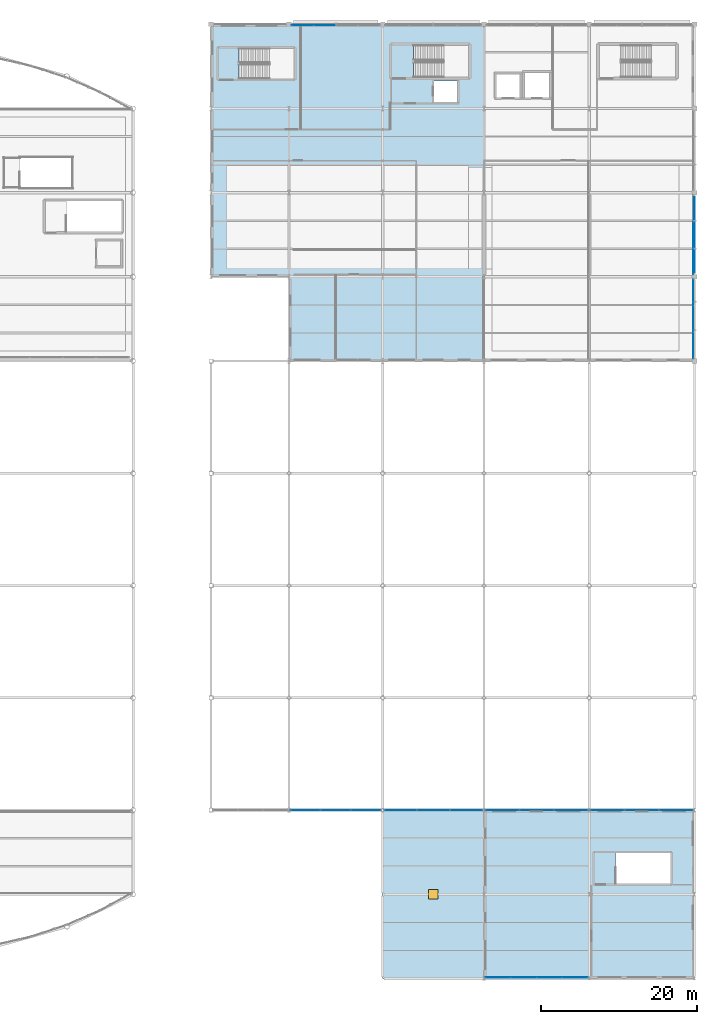
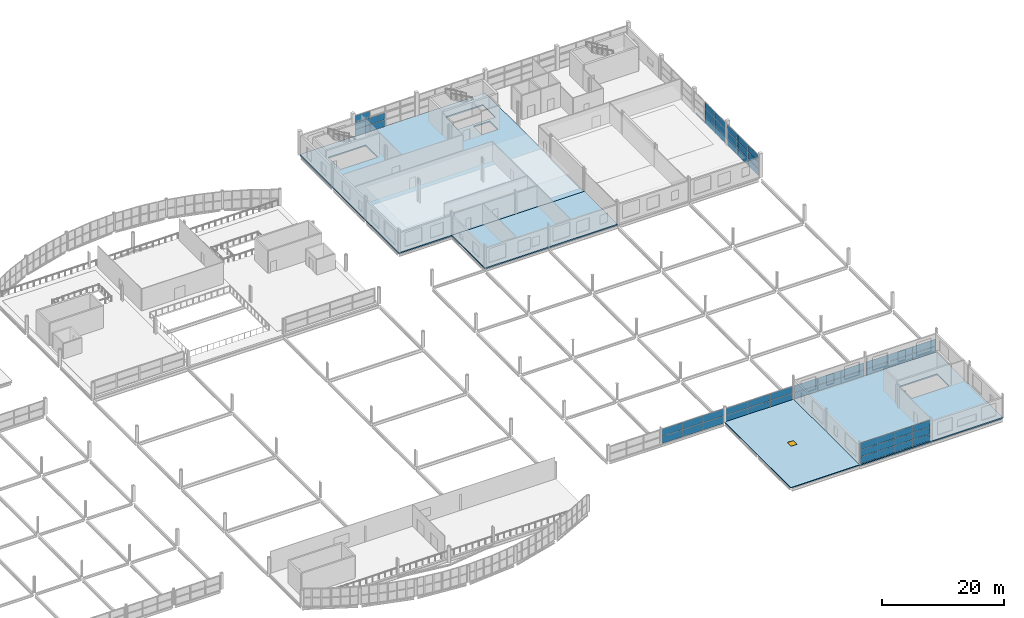
# One storey, part 118 of 134: 57 plates, 4 slabs, 1 window, 1 opening, 8 elements without a shape of their own.
"""IFC4 building model written with IfcOpenShell, lengths in metres."""

from ifc_helpers import new_model, si_unit, direction, frame, origin, origin_2d, place, context, subcontext, project, spatial, polyline, rectangle, outline, extrude, material, layer, layer_set, type_object, element, fill, aggregate, save


model = new_model("IFC4")

# Units and contexts
model_context = context("Model", 3, precision=1e-05, world=origin(), true_north=direction((0.0, 1.0)))
body_context = subcontext(model_context, "Body", "Model", "MODEL_VIEW")
ifc_project = project(units=[si_unit("LENGTHUNIT", "METRE"), si_unit("AREAUNIT", "SQUARE_METRE"), si_unit("VOLUMEUNIT", "CUBIC_METRE"), si_unit("PLANEANGLEUNIT", "RADIAN"), si_unit("MASSUNIT", "GRAM", prefix="KILO")], contexts=[model_context])

# Site, building, storey
site_placement = place(None, origin())
site = spatial("IfcSite", under=ifc_project, at=site_placement, CompositionType="ELEMENT")
building_placement = place(site_placement, origin())
building = spatial("IfcBuilding", under=site, at=building_placement, Name="Tamarisk Ironworks Central Station", CompositionType="ELEMENT")
storey_placement = place(building_placement, frame((0.0, 0.0, 12.60009765625)))
storey = spatial("IfcBuildingStorey", under=building, at=storey_placement, Name="L02", CompositionType="ELEMENT", Elevation=12.60009765625)

# Curtain wall, plates
ifc_material_1 = material(Name="Anodized aluminium alloy 6063-T6", Category="aluminium")
ifc_layer_1 = layer(ifc_material_1, 0.179931640625)
ifc_layer_set_1 = layer_set([ifc_layer_1], Name="Anodized aluminium alloy 6063-T6")
curtain_wall_type_1 = type_object("IfcCurtainWallType", Name="CW-17", PredefinedType="USERDEFINED", material=ifc_layer_set_1)
curtain_wall_1_placement = place(storey_placement, origin())
curtain_wall_1 = element("IfcCurtainWall", 1, at=curtain_wall_1_placement, inside=storey, type_object=curtain_wall_type_1, Name="Operations L02 north facade curtain wall 128", ObjectType="GLAZED CURTAIN WALL", PredefinedType="USERDEFINED")
ifc_material_2 = material(Name="Laminated solar-control low-E glass", Category="glass")
ifc_layer_2 = layer(ifc_material_2, 0.028076171875)
ifc_layer_set_2 = layer_set([ifc_layer_2], Name="Laminated solar-control low-E glass")
plate_type_1 = type_object("IfcPlateType", Name="PL-CWP28", PredefinedType="CURTAIN_PANEL", material=ifc_layer_set_2)
plate_1_placement = place(storey_placement, frame((129.738525390625, 122.25, 0.053955078125), z_axis=(0.0, 0.0, 1.0), x_axis=(1.0, 0.0, 0.0)))
plate_1 = element("IfcPlate", 2, at=plate_1_placement, type_object=plate_type_1, Name="CW17 panel 1.1", PredefinedType="CURTAIN_PANEL", context=body_context, shape_type="SweptSolid", body=[
    extrude(rectangle(XDim=2.77294921875, YDim=0.028076171875, at=origin_2d()), origin(), (0.0, 0.0, 1.0), 1.32861328125),
])
plate_2_placement = place(storey_placement, frame((129.738525390625, 122.25, 1.4306640625), z_axis=(0.0, 0.0, 1.0), x_axis=(1.0, 0.0, 0.0)))
plate_2 = element("IfcPlate", 3, at=plate_2_placement, type_object=plate_type_1, Name="CW17 panel 1.2", PredefinedType="CURTAIN_PANEL", context=body_context, shape_type="SweptSolid", body=[
    extrude(rectangle(XDim=2.77294921875, YDim=0.028076171875, at=origin_2d()), origin(), (0.0, 0.0, 1.0), 1.358642578125),
])
plate_3_placement = place(storey_placement, frame((129.738525390625, 122.25, 2.837158203125), z_axis=(0.0, 0.0, 1.0), x_axis=(1.0, 0.0, 0.0)))
plate_3 = element("IfcPlate", 4, at=plate_3_placement, type_object=plate_type_1, Name="CW17 panel 1.3", PredefinedType="CURTAIN_PANEL", context=body_context, shape_type="SweptSolid", body=[
    extrude(rectangle(XDim=2.77294921875, YDim=0.028076171875, at=origin_2d()), origin(), (0.0, 0.0, 1.0), 1.32861328125),
])
plate_4_placement = place(storey_placement, frame((132.574462890625, 122.25, 0.053955078125), z_axis=(0.0, 0.0, 1.0), x_axis=(1.0, 0.0, 0.0)))
plate_4 = element("IfcPlate", 5, at=plate_4_placement, type_object=plate_type_1, Name="CW17 panel 2.1", PredefinedType="CURTAIN_PANEL", context=body_context, shape_type="SweptSolid", body=[
    extrude(rectangle(XDim=2.802978515625, YDim=0.028076171875, at=origin_2d()), origin(), (0.0, 0.0, 1.0), 1.32861328125),
])
plate_5_placement = place(storey_placement, frame((132.574462890625, 122.25, 1.4306640625), z_axis=(0.0, 0.0, 1.0), x_axis=(1.0, 0.0, 0.0)))
plate_5 = element("IfcPlate", 6, at=plate_5_placement, type_object=plate_type_1, Name="CW17 panel 2.2", PredefinedType="CURTAIN_PANEL", context=body_context, shape_type="SweptSolid", body=[
    extrude(rectangle(XDim=2.802978515625, YDim=0.028076171875, at=origin_2d()), origin(), (0.0, 0.0, 1.0), 1.358642578125),
])
aggregate(curtain_wall_1, [plate_1, plate_2, plate_3, plate_4, plate_5])

curtain_wall_2_placement = place(storey_placement, origin())
curtain_wall_2 = element("IfcCurtainWall", 7, at=curtain_wall_2_placement, inside=storey, type_object=curtain_wall_type_1, Name="Operations L02 east facade curtain wall 079", ObjectType="GLAZED CURTAIN WALL", PredefinedType="USERDEFINED")
plate_6_placement = place(storey_placement, frame((179.85009765625, 81.213623046875, 0.053955078125), z_axis=(0.0, 0.0, 1.0), x_axis=(0.0, 1.0, 0.0)))
plate_6 = element("IfcPlate", 8, at=plate_6_placement, type_object=plate_type_1, Name="CW17 panel 1.1", PredefinedType="CURTAIN_PANEL", context=body_context, shape_type="SweptSolid", body=[
    extrude(rectangle(XDim=3.3232421875, YDim=0.028076171875, at=origin_2d()), origin(), (0.0, 0.0, 1.0), 1.32861328125),
])
plate_7_placement = place(storey_placement, frame((179.85009765625, 81.213623046875, 1.4306640625), z_axis=(0.0, 0.0, 1.0), x_axis=(0.0, 1.0, 0.0)))
plate_7 = element("IfcPlate", 9, at=plate_7_placement, type_object=plate_type_1, Name="CW17 panel 1.2", PredefinedType="CURTAIN_PANEL", context=body_context, shape_type="SweptSolid", body=[
    extrude(rectangle(XDim=3.3232421875, YDim=0.028076171875, at=origin_2d()), origin(), (0.0, 0.0, 1.0), 1.358642578125),
])
plate_8_placement = place(storey_placement, frame((179.85009765625, 81.213623046875, 2.837158203125), z_axis=(0.0, 0.0, 1.0), x_axis=(0.0, 1.0, 0.0)))
plate_8 = element("IfcPlate", 10, at=plate_8_placement, type_object=plate_type_1, Name="CW17 panel 1.3", PredefinedType="CURTAIN_PANEL", context=body_context, shape_type="SweptSolid", body=[
    extrude(rectangle(XDim=3.3232421875, YDim=0.028076171875, at=origin_2d()), origin(), (0.0, 0.0, 1.0), 1.32861328125),
])
plate_9_placement = place(storey_placement, frame((179.85009765625, 84.60009765625, 0.053955078125), z_axis=(0.0, 0.0, 1.0), x_axis=(0.0, 1.0, 0.0)))
plate_9 = element("IfcPlate", 11, at=plate_9_placement, type_object=plate_type_1, Name="CW17 panel 2.1", PredefinedType="CURTAIN_PANEL", context=body_context, shape_type="SweptSolid", body=[
    extrude(rectangle(XDim=3.353271484375, YDim=0.028076171875, at=origin_2d()), origin(), (0.0, 0.0, 1.0), 1.32861328125),
])
plate_10_placement = place(storey_placement, frame((179.85009765625, 84.60009765625, 1.4306640625), z_axis=(0.0, 0.0, 1.0), x_axis=(0.0, 1.0, 0.0)))
plate_10 = element("IfcPlate", 12, at=plate_10_placement, type_object=plate_type_1, Name="CW17 panel 2.2", PredefinedType="CURTAIN_PANEL", context=body_context, shape_type="SweptSolid", body=[
    extrude(rectangle(XDim=3.353271484375, YDim=0.028076171875, at=origin_2d()), origin(), (0.0, 0.0, 1.0), 1.358642578125),
])
plate_11_placement = place(storey_placement, frame((179.85009765625, 84.60009765625, 2.837158203125), z_axis=(0.0, 0.0, 1.0), x_axis=(0.0, 1.0, 0.0)))
plate_11 = element("IfcPlate", 13, at=plate_11_placement, type_object=plate_type_1, Name="CW17 panel 2.3", PredefinedType="CURTAIN_PANEL", context=body_context, shape_type="SweptSolid", body=[
    extrude(rectangle(XDim=3.353271484375, YDim=0.028076171875, at=origin_2d()), origin(), (0.0, 0.0, 1.0), 1.32861328125),
])
plate_12_placement = place(storey_placement, frame((179.85009765625, 87.986328125, 0.053955078125), z_axis=(0.0, 0.0, 1.0), x_axis=(0.0, 1.0, 0.0)))
plate_12 = element("IfcPlate", 14, at=plate_12_placement, type_object=plate_type_1, Name="CW17 panel 3.1", PredefinedType="CURTAIN_PANEL", context=body_context, shape_type="SweptSolid", body=[
    extrude(rectangle(XDim=3.3232421875, YDim=0.028076171875, at=origin_2d()), origin(), (0.0, 0.0, 1.0), 1.32861328125),
])
plate_13_placement = place(storey_placement, frame((179.85009765625, 87.986328125, 1.4306640625), z_axis=(0.0, 0.0, 1.0), x_axis=(0.0, 1.0, 0.0)))
plate_13 = element("IfcPlate", 15, at=plate_13_placement, type_object=plate_type_1, Name="CW17 panel 3.2", PredefinedType="CURTAIN_PANEL", context=body_context, shape_type="SweptSolid", body=[
    extrude(rectangle(XDim=3.3232421875, YDim=0.028076171875, at=origin_2d()), origin(), (0.0, 0.0, 1.0), 1.358642578125),
])
plate_14_placement = place(storey_placement, frame((179.85009765625, 87.986328125, 2.837158203125), z_axis=(0.0, 0.0, 1.0), x_axis=(0.0, 1.0, 0.0)))
plate_14 = element("IfcPlate", 16, at=plate_14_placement, type_object=plate_type_1, Name="CW17 panel 3.3", PredefinedType="CURTAIN_PANEL", context=body_context, shape_type="SweptSolid", body=[
    extrude(rectangle(XDim=3.3232421875, YDim=0.028076171875, at=origin_2d()), origin(), (0.0, 0.0, 1.0), 1.32861328125),
])
aggregate(curtain_wall_2, [plate_6, plate_7, plate_8, plate_9, plate_10, plate_11, plate_12, plate_13, plate_14])

curtain_wall_3_placement = place(storey_placement, origin())
curtain_wall_3 = element("IfcCurtainWall", 17, at=curtain_wall_3_placement, inside=storey, type_object=curtain_wall_type_1, Name="Operations L02 east facade curtain wall 090", ObjectType="GLAZED CURTAIN WALL", PredefinedType="USERDEFINED")
plate_15_placement = place(storey_placement, frame((179.85009765625, 92.013671875, 0.053955078125), z_axis=(0.0, 0.0, 1.0), x_axis=(0.0, 1.0, 0.0)))
plate_15 = element("IfcPlate", 18, at=plate_15_placement, type_object=plate_type_1, Name="CW17 panel 1.1", PredefinedType="CURTAIN_PANEL", context=body_context, shape_type="SweptSolid", body=[
    extrude(rectangle(XDim=3.3232421875, YDim=0.028076171875, at=origin_2d()), origin(), (0.0, 0.0, 1.0), 1.32861328125),
])
plate_16_placement = place(storey_placement, frame((179.85009765625, 92.013671875, 1.4306640625), z_axis=(0.0, 0.0, 1.0), x_axis=(0.0, 1.0, 0.0)))
plate_16 = element("IfcPlate", 19, at=plate_16_placement, type_object=plate_type_1, Name="CW17 panel 1.2", PredefinedType="CURTAIN_PANEL", context=body_context, shape_type="SweptSolid", body=[
    extrude(rectangle(XDim=3.3232421875, YDim=0.028076171875, at=origin_2d()), origin(), (0.0, 0.0, 1.0), 1.358642578125),
])
plate_17_placement = place(storey_placement, frame((179.85009765625, 92.013671875, 2.837158203125), z_axis=(0.0, 0.0, 1.0), x_axis=(0.0, 1.0, 0.0)))
plate_17 = element("IfcPlate", 20, at=plate_17_placement, type_object=plate_type_1, Name="CW17 panel 1.3", PredefinedType="CURTAIN_PANEL", context=body_context, shape_type="SweptSolid", body=[
    extrude(rectangle(XDim=3.3232421875, YDim=0.028076171875, at=origin_2d()), origin(), (0.0, 0.0, 1.0), 1.32861328125),
])
plate_18_placement = place(storey_placement, frame((179.85009765625, 95.39990234375, 0.053955078125), z_axis=(0.0, 0.0, 1.0), x_axis=(0.0, 1.0, 0.0)))
plate_18 = element("IfcPlate", 21, at=plate_18_placement, type_object=plate_type_1, Name="CW17 panel 2.1", PredefinedType="CURTAIN_PANEL", context=body_context, shape_type="SweptSolid", body=[
    extrude(rectangle(XDim=3.353271484375, YDim=0.028076171875, at=origin_2d()), origin(), (0.0, 0.0, 1.0), 1.32861328125),
])
plate_19_placement = place(storey_placement, frame((179.85009765625, 95.39990234375, 1.4306640625), z_axis=(0.0, 0.0, 1.0), x_axis=(0.0, 1.0, 0.0)))
plate_19 = element("IfcPlate", 22, at=plate_19_placement, type_object=plate_type_1, Name="CW17 panel 2.2", PredefinedType="CURTAIN_PANEL", context=body_context, shape_type="SweptSolid", body=[
    extrude(rectangle(XDim=3.353271484375, YDim=0.028076171875, at=origin_2d()), origin(), (0.0, 0.0, 1.0), 1.358642578125),
])
plate_20_placement = place(storey_placement, frame((179.85009765625, 95.39990234375, 2.837158203125), z_axis=(0.0, 0.0, 1.0), x_axis=(0.0, 1.0, 0.0)))
plate_20 = element("IfcPlate", 23, at=plate_20_placement, type_object=plate_type_1, Name="CW17 panel 2.3", PredefinedType="CURTAIN_PANEL", context=body_context, shape_type="SweptSolid", body=[
    extrude(rectangle(XDim=3.353271484375, YDim=0.028076171875, at=origin_2d()), origin(), (0.0, 0.0, 1.0), 1.32861328125),
])
aggregate(curtain_wall_3, [plate_15, plate_16, plate_17, plate_18, plate_19, plate_20])

ifc_layer_3 = layer(ifc_material_1, 0.179931640625)
ifc_layer_set_3 = layer_set([ifc_layer_3], Name="Anodized aluminium alloy 6063-T6")
curtain_wall_type_2 = type_object("IfcCurtainWallType", Name="CW-07", PredefinedType="USERDEFINED", material=ifc_layer_set_3)
curtain_wall_4_placement = place(storey_placement, origin())
curtain_wall_4 = element("IfcCurtainWall", 24, at=curtain_wall_4_placement, inside=storey, type_object=curtain_wall_type_2, Name="Train shed ES clerestory curtain wall 128", ObjectType="GLAZED CURTAIN WALL", PredefinedType="USERDEFINED")
plate_21_placement = place(storey_placement, frame((130.106689453125, 21.60009765625, -0.201171875), z_axis=(0.0, 0.0, 1.0), x_axis=(1.0, 0.0, 0.0)))
plate_21 = element("IfcPlate", 25, at=plate_21_placement, type_object=plate_type_1, Name="CW07 panel 1.1", PredefinedType="CURTAIN_PANEL", context=body_context, shape_type="SweptSolid", body=[
    extrude(rectangle(XDim=3.799072265625, YDim=0.028076171875, at=origin_2d()), origin(), (0.0, 0.0, 1.0), 1.4345703125),
])
plate_22_placement = place(storey_placement, frame((130.106689453125, 21.60009765625, 1.286376953125), z_axis=(0.0, 0.0, 1.0), x_axis=(1.0, 0.0, 0.0)))
plate_22 = element("IfcPlate", 26, at=plate_22_placement, type_object=plate_type_1, Name="CW07 panel 1.2", PredefinedType="CURTAIN_PANEL", context=body_context, shape_type="SweptSolid", body=[
    extrude(rectangle(XDim=3.799072265625, YDim=0.028076171875, at=origin_2d()), origin(), (0.0, 0.0, 1.0), 1.4345703125),
])
plate_23_placement = place(storey_placement, frame((133.97509765625, 21.60009765625, -0.201171875), z_axis=(0.0, 0.0, 1.0), x_axis=(1.0, 0.0, 0.0)))
plate_23 = element("IfcPlate", 27, at=plate_23_placement, type_object=plate_type_1, Name="CW07 panel 2.1", PredefinedType="CURTAIN_PANEL", context=body_context, shape_type="SweptSolid", body=[
    extrude(rectangle(XDim=3.831787109375, YDim=0.028076171875, at=origin_2d()), origin(), (0.0, 0.0, 1.0), 1.4345703125),
])
plate_24_placement = place(storey_placement, frame((133.97509765625, 21.60009765625, 1.286376953125), z_axis=(0.0, 0.0, 1.0), x_axis=(1.0, 0.0, 0.0)))
plate_24 = element("IfcPlate", 28, at=plate_24_placement, type_object=plate_type_1, Name="CW07 panel 2.2", PredefinedType="CURTAIN_PANEL", context=body_context, shape_type="SweptSolid", body=[
    extrude(rectangle(XDim=3.831787109375, YDim=0.028076171875, at=origin_2d()), origin(), (0.0, 0.0, 1.0), 1.4345703125),
])
plate_25_placement = place(storey_placement, frame((137.843505859375, 21.60009765625, -0.201171875), z_axis=(0.0, 0.0, 1.0), x_axis=(1.0, 0.0, 0.0)))
plate_25 = element("IfcPlate", 29, at=plate_25_placement, type_object=plate_type_1, Name="CW07 panel 3.1", PredefinedType="CURTAIN_PANEL", context=body_context, shape_type="SweptSolid", body=[
    extrude(rectangle(XDim=3.799072265625, YDim=0.028076171875, at=origin_2d()), origin(), (0.0, 0.0, 1.0), 1.4345703125),
])
plate_26_placement = place(storey_placement, frame((137.843505859375, 21.60009765625, 1.286376953125), z_axis=(0.0, 0.0, 1.0), x_axis=(1.0, 0.0, 0.0)))
plate_26 = element("IfcPlate", 30, at=plate_26_placement, type_object=plate_type_1, Name="CW07 panel 3.2", PredefinedType="CURTAIN_PANEL", context=body_context, shape_type="SweptSolid", body=[
    extrude(rectangle(XDim=3.799072265625, YDim=0.028076171875, at=origin_2d()), origin(), (0.0, 0.0, 1.0), 1.4345703125),
])
aggregate(curtain_wall_4, [plate_21, plate_22, plate_23, plate_24, plate_25, plate_26])

curtain_wall_5_placement = place(storey_placement, origin())
curtain_wall_5 = element("IfcCurtainWall", 31, at=curtain_wall_5_placement, inside=storey, type_object=curtain_wall_type_2, Name="Train shed ES clerestory curtain wall 140", ObjectType="GLAZED CURTAIN WALL", PredefinedType="USERDEFINED")
plate_27_placement = place(storey_placement, frame((142.3232421875, 21.60009765625, -0.111328125), z_axis=(0.0, 0.0, 1.0), x_axis=(1.0, 0.0, 0.0)))
plate_27 = element("IfcPlate", 32, at=plate_27_placement, type_object=plate_type_1, Name="CW07 panel 1.1", PredefinedType="CURTAIN_PANEL", context=body_context, shape_type="SweptSolid", body=[
    extrude(rectangle(XDim=4.132568359375, YDim=0.028076171875, at=origin_2d()), origin(), (0.0, 0.0, 1.0), 1.339599609375),
])
plate_28_placement = place(storey_placement, frame((142.3232421875, 21.60009765625, 1.28125), z_axis=(0.0, 0.0, 1.0), x_axis=(1.0, 0.0, 0.0)))
plate_28 = element("IfcPlate", 33, at=plate_28_placement, type_object=plate_type_1, Name="CW07 panel 1.2", PredefinedType="CURTAIN_PANEL", context=body_context, shape_type="SweptSolid", body=[
    extrude(rectangle(XDim=4.132568359375, YDim=0.028076171875, at=origin_2d()), origin(), (0.0, 0.0, 1.0), 1.339599609375),
])
plate_29_placement = place(storey_placement, frame((146.52490234375, 21.60009765625, -0.111328125), z_axis=(0.0, 0.0, 1.0), x_axis=(1.0, 0.0, 0.0)))
plate_29 = element("IfcPlate", 34, at=plate_29_placement, type_object=plate_type_1, Name="CW07 panel 2.1", PredefinedType="CURTAIN_PANEL", context=body_context, shape_type="SweptSolid", body=[
    extrude(rectangle(XDim=4.1650390625, YDim=0.028076171875, at=origin_2d()), origin(), (0.0, 0.0, 1.0), 1.339599609375),
])
plate_30_placement = place(storey_placement, frame((146.52490234375, 21.60009765625, 1.28125), z_axis=(0.0, 0.0, 1.0), x_axis=(1.0, 0.0, 0.0)))
plate_30 = element("IfcPlate", 35, at=plate_30_placement, type_object=plate_type_1, Name="CW07 panel 2.2", PredefinedType="CURTAIN_PANEL", context=body_context, shape_type="SweptSolid", body=[
    extrude(rectangle(XDim=4.1650390625, YDim=0.028076171875, at=origin_2d()), origin(), (0.0, 0.0, 1.0), 1.339599609375),
])
plate_31_placement = place(storey_placement, frame((150.726806640625, 21.60009765625, -0.111328125), z_axis=(0.0, 0.0, 1.0), x_axis=(1.0, 0.0, 0.0)))
plate_31 = element("IfcPlate", 36, at=plate_31_placement, type_object=plate_type_1, Name="CW07 panel 3.1", PredefinedType="CURTAIN_PANEL", context=body_context, shape_type="SweptSolid", body=[
    extrude(rectangle(XDim=4.132568359375, YDim=0.028076171875, at=origin_2d()), origin(), (0.0, 0.0, 1.0), 1.339599609375),
])
plate_32_placement = place(storey_placement, frame((150.726806640625, 21.60009765625, 1.28125), z_axis=(0.0, 0.0, 1.0), x_axis=(1.0, 0.0, 0.0)))
plate_32 = element("IfcPlate", 37, at=plate_32_placement, type_object=plate_type_1, Name="CW07 panel 3.2", PredefinedType="CURTAIN_PANEL", context=body_context, shape_type="SweptSolid", body=[
    extrude(rectangle(XDim=4.132568359375, YDim=0.028076171875, at=origin_2d()), origin(), (0.0, 0.0, 1.0), 1.339599609375),
])
aggregate(curtain_wall_5, [plate_27, plate_28, plate_29, plate_30, plate_31, plate_32])

curtain_wall_6_placement = place(storey_placement, origin())
curtain_wall_6 = element("IfcCurtainWall", 38, at=curtain_wall_6_placement, inside=storey, type_object=curtain_wall_type_2, Name="Train shed ES clerestory curtain wall 153", ObjectType="GLAZED CURTAIN WALL", PredefinedType="USERDEFINED")
plate_33_placement = place(storey_placement, frame((155.364990234375, 21.60009765625, -0.201171875), z_axis=(0.0, 0.0, 1.0), x_axis=(1.0, 0.0, 0.0)))
plate_33 = element("IfcPlate", 39, at=plate_33_placement, type_object=plate_type_1, Name="CW07 panel 1.1", PredefinedType="CURTAIN_PANEL", context=body_context, shape_type="SweptSolid", body=[
    extrude(rectangle(XDim=4.31591796875, YDim=0.028076171875, at=origin_2d()), origin(), (0.0, 0.0, 1.0), 1.384521484375),
])
plate_34_placement = place(storey_placement, frame((155.364990234375, 21.60009765625, 1.236328125), z_axis=(0.0, 0.0, 1.0), x_axis=(1.0, 0.0, 0.0)))
plate_34 = element("IfcPlate", 40, at=plate_34_placement, type_object=plate_type_1, Name="CW07 panel 1.2", PredefinedType="CURTAIN_PANEL", context=body_context, shape_type="SweptSolid", body=[
    extrude(rectangle(XDim=4.31591796875, YDim=0.028076171875, at=origin_2d()), origin(), (0.0, 0.0, 1.0), 1.384521484375),
])
plate_35_placement = place(storey_placement, frame((159.75, 21.60009765625, -0.201171875), z_axis=(0.0, 0.0, 1.0), x_axis=(1.0, 0.0, 0.0)))
plate_35 = element("IfcPlate", 41, at=plate_35_placement, type_object=plate_type_1, Name="CW07 panel 2.1", PredefinedType="CURTAIN_PANEL", context=body_context, shape_type="SweptSolid", body=[
    extrude(rectangle(XDim=4.348388671875, YDim=0.028076171875, at=origin_2d()), origin(), (0.0, 0.0, 1.0), 1.384521484375),
])
plate_36_placement = place(storey_placement, frame((159.75, 21.60009765625, 1.236328125), z_axis=(0.0, 0.0, 1.0), x_axis=(1.0, 0.0, 0.0)))
plate_36 = element("IfcPlate", 42, at=plate_36_placement, type_object=plate_type_1, Name="CW07 panel 2.2", PredefinedType="CURTAIN_PANEL", context=body_context, shape_type="SweptSolid", body=[
    extrude(rectangle(XDim=4.348388671875, YDim=0.028076171875, at=origin_2d()), origin(), (0.0, 0.0, 1.0), 1.384521484375),
])
plate_37_placement = place(storey_placement, frame((164.135009765625, 21.60009765625, -0.201171875), z_axis=(0.0, 0.0, 1.0), x_axis=(1.0, 0.0, 0.0)))
plate_37 = element("IfcPlate", 43, at=plate_37_placement, type_object=plate_type_1, Name="CW07 panel 3.1", PredefinedType="CURTAIN_PANEL", context=body_context, shape_type="SweptSolid", body=[
    extrude(rectangle(XDim=4.31591796875, YDim=0.028076171875, at=origin_2d()), origin(), (0.0, 0.0, 1.0), 1.384521484375),
])
plate_38_placement = place(storey_placement, frame((164.135009765625, 21.60009765625, 1.236328125), z_axis=(0.0, 0.0, 1.0), x_axis=(1.0, 0.0, 0.0)))
plate_38 = element("IfcPlate", 44, at=plate_38_placement, type_object=plate_type_1, Name="CW07 panel 3.2", PredefinedType="CURTAIN_PANEL", context=body_context, shape_type="SweptSolid", body=[
    extrude(rectangle(XDim=4.31591796875, YDim=0.028076171875, at=origin_2d()), origin(), (0.0, 0.0, 1.0), 1.384521484375),
])
aggregate(curtain_wall_6, [plate_33, plate_34, plate_35, plate_36, plate_37, plate_38])

curtain_wall_7_placement = place(storey_placement, origin())
curtain_wall_7 = element("IfcCurtainWall", 45, at=curtain_wall_7_placement, inside=storey, type_object=curtain_wall_type_2, Name="Train shed ES clerestory curtain wall 166", ObjectType="GLAZED CURTAIN WALL", PredefinedType="USERDEFINED")
plate_39_placement = place(storey_placement, frame((168.864990234375, 21.60009765625, -0.201171875), z_axis=(0.0, 0.0, 1.0), x_axis=(1.0, 0.0, 0.0)))
plate_39 = element("IfcPlate", 46, at=plate_39_placement, type_object=plate_type_1, Name="CW07 panel 1.1", PredefinedType="CURTAIN_PANEL", context=body_context, shape_type="SweptSolid", body=[
    extrude(rectangle(XDim=4.31591796875, YDim=0.028076171875, at=origin_2d()), origin(), (0.0, 0.0, 1.0), 1.384521484375),
])
plate_40_placement = place(storey_placement, frame((168.864990234375, 21.60009765625, 1.236328125), z_axis=(0.0, 0.0, 1.0), x_axis=(1.0, 0.0, 0.0)))
plate_40 = element("IfcPlate", 47, at=plate_40_placement, type_object=plate_type_1, Name="CW07 panel 1.2", PredefinedType="CURTAIN_PANEL", context=body_context, shape_type="SweptSolid", body=[
    extrude(rectangle(XDim=4.31591796875, YDim=0.028076171875, at=origin_2d()), origin(), (0.0, 0.0, 1.0), 1.384521484375),
])
plate_41_placement = place(storey_placement, frame((173.25, 21.60009765625, -0.201171875), z_axis=(0.0, 0.0, 1.0), x_axis=(1.0, 0.0, 0.0)))
plate_41 = element("IfcPlate", 48, at=plate_41_placement, type_object=plate_type_1, Name="CW07 panel 2.1", PredefinedType="CURTAIN_PANEL", context=body_context, shape_type="SweptSolid", body=[
    extrude(rectangle(XDim=4.348388671875, YDim=0.028076171875, at=origin_2d()), origin(), (0.0, 0.0, 1.0), 1.384521484375),
])
plate_42_placement = place(storey_placement, frame((173.25, 21.60009765625, 1.236328125), z_axis=(0.0, 0.0, 1.0), x_axis=(1.0, 0.0, 0.0)))
plate_42 = element("IfcPlate", 49, at=plate_42_placement, type_object=plate_type_1, Name="CW07 panel 2.2", PredefinedType="CURTAIN_PANEL", context=body_context, shape_type="SweptSolid", body=[
    extrude(rectangle(XDim=4.348388671875, YDim=0.028076171875, at=origin_2d()), origin(), (0.0, 0.0, 1.0), 1.384521484375),
])
plate_43_placement = place(storey_placement, frame((177.635009765625, 21.60009765625, -0.201171875), z_axis=(0.0, 0.0, 1.0), x_axis=(1.0, 0.0, 0.0)))
plate_43 = element("IfcPlate", 50, at=plate_43_placement, type_object=plate_type_1, Name="CW07 panel 3.1", PredefinedType="CURTAIN_PANEL", context=body_context, shape_type="SweptSolid", body=[
    extrude(rectangle(XDim=4.31591796875, YDim=0.028076171875, at=origin_2d()), origin(), (0.0, 0.0, 1.0), 1.384521484375),
])
plate_44_placement = place(storey_placement, frame((177.635009765625, 21.60009765625, 1.236328125), z_axis=(0.0, 0.0, 1.0), x_axis=(1.0, 0.0, 0.0)))
plate_44 = element("IfcPlate", 51, at=plate_44_placement, type_object=plate_type_1, Name="CW07 panel 3.2", PredefinedType="CURTAIN_PANEL", context=body_context, shape_type="SweptSolid", body=[
    extrude(rectangle(XDim=4.31591796875, YDim=0.028076171875, at=origin_2d()), origin(), (0.0, 0.0, 1.0), 1.384521484375),
])
aggregate(curtain_wall_7, [plate_39, plate_40, plate_41, plate_42, plate_43, plate_44])

curtain_wall_8_placement = place(storey_placement, origin())
curtain_wall_8 = element("IfcCurtainWall", 52, at=curtain_wall_8_placement, inside=storey, type_object=curtain_wall_type_1, Name="South-east annex L02 curtain wall 153", ObjectType="GLAZED CURTAIN WALL", PredefinedType="USERDEFINED")
plate_45_placement = place(storey_placement, frame((154.8134765625, 0.14990234375, 0.053955078125), z_axis=(0.0, 0.0, 1.0), x_axis=(1.0, 0.0, 0.0)))
plate_45 = element("IfcPlate", 53, at=plate_45_placement, type_object=plate_type_1, Name="CW17 panel 1.1", PredefinedType="CURTAIN_PANEL", context=body_context, shape_type="SweptSolid", body=[
    extrude(rectangle(XDim=3.222900390625, YDim=0.028076171875, at=origin_2d()), origin(), (0.0, 0.0, 1.0), 1.32861328125),
])
plate_46_placement = place(storey_placement, frame((154.8134765625, 0.14990234375, 1.4306640625), z_axis=(0.0, 0.0, 1.0), x_axis=(1.0, 0.0, 0.0)))
plate_46 = element("IfcPlate", 54, at=plate_46_placement, type_object=plate_type_1, Name="CW17 panel 1.2", PredefinedType="CURTAIN_PANEL", context=body_context, shape_type="SweptSolid", body=[
    extrude(rectangle(XDim=3.222900390625, YDim=0.028076171875, at=origin_2d()), origin(), (0.0, 0.0, 1.0), 1.358642578125),
])
plate_47_placement = place(storey_placement, frame((154.8134765625, 0.14990234375, 2.837158203125), z_axis=(0.0, 0.0, 1.0), x_axis=(1.0, 0.0, 0.0)))
plate_47 = element("IfcPlate", 55, at=plate_47_placement, type_object=plate_type_1, Name="CW17 panel 1.3", PredefinedType="CURTAIN_PANEL", context=body_context, shape_type="SweptSolid", body=[
    extrude(rectangle(XDim=3.222900390625, YDim=0.028076171875, at=origin_2d()), origin(), (0.0, 0.0, 1.0), 1.32861328125),
])
plate_48_placement = place(storey_placement, frame((158.099609375, 0.14990234375, 0.053955078125), z_axis=(0.0, 0.0, 1.0), x_axis=(1.0, 0.0, 0.0)))
plate_48 = element("IfcPlate", 56, at=plate_48_placement, type_object=plate_type_1, Name="CW17 panel 2.1", PredefinedType="CURTAIN_PANEL", context=body_context, shape_type="SweptSolid", body=[
    extrude(rectangle(XDim=3.2529296875, YDim=0.028076171875, at=origin_2d()), origin(), (0.0, 0.0, 1.0), 1.32861328125),
])
plate_49_placement = place(storey_placement, frame((158.099609375, 0.14990234375, 1.4306640625), z_axis=(0.0, 0.0, 1.0), x_axis=(1.0, 0.0, 0.0)))
plate_49 = element("IfcPlate", 57, at=plate_49_placement, type_object=plate_type_1, Name="CW17 panel 2.2", PredefinedType="CURTAIN_PANEL", context=body_context, shape_type="SweptSolid", body=[
    extrude(rectangle(XDim=3.2529296875, YDim=0.028076171875, at=origin_2d()), origin(), (0.0, 0.0, 1.0), 1.358642578125),
])
plate_50_placement = place(storey_placement, frame((158.099609375, 0.14990234375, 2.837158203125), z_axis=(0.0, 0.0, 1.0), x_axis=(1.0, 0.0, 0.0)))
plate_50 = element("IfcPlate", 58, at=plate_50_placement, type_object=plate_type_1, Name="CW17 panel 2.3", PredefinedType="CURTAIN_PANEL", context=body_context, shape_type="SweptSolid", body=[
    extrude(rectangle(XDim=3.2529296875, YDim=0.028076171875, at=origin_2d()), origin(), (0.0, 0.0, 1.0), 1.32861328125),
])
plate_51_placement = place(storey_placement, frame((161.400390625, 0.14990234375, 0.053955078125), z_axis=(0.0, 0.0, 1.0), x_axis=(1.0, 0.0, 0.0)))
plate_51 = element("IfcPlate", 59, at=plate_51_placement, type_object=plate_type_1, Name="CW17 panel 3.1", PredefinedType="CURTAIN_PANEL", context=body_context, shape_type="SweptSolid", body=[
    extrude(rectangle(XDim=3.2529296875, YDim=0.028076171875, at=origin_2d()), origin(), (0.0, 0.0, 1.0), 1.32861328125),
])
plate_52_placement = place(storey_placement, frame((161.400390625, 0.14990234375, 1.4306640625), z_axis=(0.0, 0.0, 1.0), x_axis=(1.0, 0.0, 0.0)))
plate_52 = element("IfcPlate", 60, at=plate_52_placement, type_object=plate_type_1, Name="CW17 panel 3.2", PredefinedType="CURTAIN_PANEL", context=body_context, shape_type="SweptSolid", body=[
    extrude(rectangle(XDim=3.2529296875, YDim=0.028076171875, at=origin_2d()), origin(), (0.0, 0.0, 1.0), 1.358642578125),
])
plate_53_placement = place(storey_placement, frame((161.400390625, 0.14990234375, 2.837158203125), z_axis=(0.0, 0.0, 1.0), x_axis=(1.0, 0.0, 0.0)))
plate_53 = element("IfcPlate", 61, at=plate_53_placement, type_object=plate_type_1, Name="CW17 panel 3.3", PredefinedType="CURTAIN_PANEL", context=body_context, shape_type="SweptSolid", body=[
    extrude(rectangle(XDim=3.2529296875, YDim=0.028076171875, at=origin_2d()), origin(), (0.0, 0.0, 1.0), 1.32861328125),
])
plate_54_placement = place(storey_placement, frame((164.6865234375, 0.14990234375, 0.053955078125), z_axis=(0.0, 0.0, 1.0), x_axis=(1.0, 0.0, 0.0)))
plate_54 = element("IfcPlate", 62, at=plate_54_placement, type_object=plate_type_1, Name="CW17 panel 4.1", PredefinedType="CURTAIN_PANEL", context=body_context, shape_type="SweptSolid", body=[
    extrude(rectangle(XDim=3.222900390625, YDim=0.028076171875, at=origin_2d()), origin(), (0.0, 0.0, 1.0), 1.32861328125),
])
plate_55_placement = place(storey_placement, frame((164.6865234375, 0.14990234375, 1.4306640625), z_axis=(0.0, 0.0, 1.0), x_axis=(1.0, 0.0, 0.0)))
plate_55 = element("IfcPlate", 63, at=plate_55_placement, type_object=plate_type_1, Name="CW17 panel 4.2", PredefinedType="CURTAIN_PANEL", context=body_context, shape_type="SweptSolid", body=[
    extrude(rectangle(XDim=3.222900390625, YDim=0.028076171875, at=origin_2d()), origin(), (0.0, 0.0, 1.0), 1.358642578125),
])
plate_56_placement = place(storey_placement, frame((164.6865234375, 0.14990234375, 2.837158203125), z_axis=(0.0, 0.0, 1.0), x_axis=(1.0, 0.0, 0.0)))
plate_56 = element("IfcPlate", 64, at=plate_56_placement, type_object=plate_type_1, Name="CW17 panel 4.3", PredefinedType="CURTAIN_PANEL", context=body_context, shape_type="SweptSolid", body=[
    extrude(rectangle(XDim=3.222900390625, YDim=0.028076171875, at=origin_2d()), origin(), (0.0, 0.0, 1.0), 1.32861328125),
])
aggregate(curtain_wall_8, [plate_45, plate_46, plate_47, plate_48, plate_49, plate_50, plate_51, plate_52, plate_53, plate_54, plate_55, plate_56])

# Plate
ifc_layer_4 = layer(ifc_material_1, 0.008056640625)
ifc_layer_set_4 = layer_set([ifc_layer_4], Name="Anodized aluminium alloy 6063-T6")
plate_type_2 = type_object("IfcPlateType", Name="PL-SP08", PredefinedType="SHEET", material=ifc_layer_set_4)
plate_57_placement = place(storey_placement, frame((179.998046875, 95.39990234375, -0.240234375), z_axis=(0.0, 0.0, 1.0), x_axis=(1.0, 0.0, 0.0)))
element("IfcPlate", 65, at=plate_57_placement, inside=storey, type_object=plate_type_2, Name="L02 east anodised spandrel fascia plate 007", PredefinedType="SHEET", context=body_context, shape_type="SweptSolid", body=[
    extrude(rectangle(XDim=0.008056640625, YDim=9.60009765625, at=origin_2d()), origin(), (0.0, 0.0, 1.0), 0.239990234375),
])

# Slabs
ifc_material_3 = material(Name="Concrete C35/45", Category="concrete")
ifc_layer_5 = layer(ifc_material_3, 0.25)
ifc_layer_set_5 = layer_set([ifc_layer_5], Name="Concrete C35/45")
slab_type_1 = type_object("IfcSlabType", Name="SL-FL250", PredefinedType="FLOOR", material=ifc_layer_set_5)
slab_1_placement = place(storey_placement, frame((0.0, 0.0, -0.25)))
element("IfcSlab", 66, at=slab_1_placement, inside=storey, type_object=slab_type_1, Name="L02 Mezzanine and Upper Floor Slab V5-NW", PredefinedType="FLOOR", context=body_context, shape_type="SweptSolid", body=[
    extrude(outline(polyline([(118.0, 90.0), (153.0, 90.0), (153.0, 122.39990234375), (118.0, 122.39990234375), (118.0, 90.0)]), holes=[polyline([(143.949951171875, 115.60009765625), (151.0, 115.60009765625), (151.0, 119.699951171875), (143.949951171875, 119.699951171875), (143.949951171875, 115.60009765625)]), polyline([(121.60009765625, 115.39990234375), (128.64990234375, 115.39990234375), (128.64990234375, 119.300048828125), (121.60009765625, 119.300048828125), (121.60009765625, 115.39990234375)]), polyline([(146.60009765625, 112.39990234375), (149.60009765625, 112.39990234375), (149.60009765625, 115.10009765625), (146.60009765625, 115.10009765625), (146.60009765625, 112.39990234375)])]), origin(), (0.0, 0.0, 1.0), 0.25),
])
slab_2_placement = place(storey_placement, frame((0.0, 0.0, -0.25)))
element("IfcSlab", 67, at=slab_2_placement, inside=storey, type_object=slab_type_1, Name="L02 Mezzanine and Upper Floor Slab V5-NC", PredefinedType="FLOOR", context=body_context, shape_type="SweptSolid", body=[
    extrude(outline(polyline([(128.0, 79.199951171875), (153.0, 79.199951171875), (153.0, 90.0), (128.0, 90.0), (128.0, 79.199951171875)])), origin(), (0.0, 0.0, 1.0), 0.25),
])
slab_3_placement = place(storey_placement, frame((0.0, 0.0, -0.25)))
element("IfcSlab", 68, at=slab_3_placement, inside=storey, type_object=slab_type_1, Name="L02 Mezzanine and Upper Floor Slab V5-SE", PredefinedType="FLOOR", context=body_context, shape_type="SweptSolid", body=[
    extrude(outline(polyline([(153.0, 0.0), (180.0, 0.0), (180.0, 21.60009765625), (153.0, 21.60009765625), (153.0, 0.0)]), holes=[polyline([(169.89990234375, 12.199951171875), (176.949951171875, 12.199951171875), (176.949951171875, 16.10009765625), (169.89990234375, 16.10009765625), (169.89990234375, 12.199951171875)])]), origin(), (0.0, 0.0, 1.0), 0.25),
])

# Slab, opening, window
ifc_layer_6 = layer(ifc_material_3, 0.159912109375)
ifc_layer_set_6 = layer_set([ifc_layer_6], Name="Concrete C35/45")
slab_type_2 = type_object("IfcSlabType", Name="SL-RF160", PredefinedType="ROOF", material=ifc_layer_set_6)
slab_4_placement = place(storey_placement, frame((0.0, 0.0, -0.16015625)))
slab_4 = element("IfcSlab", 69, at=slab_4_placement, inside=storey, type_object=slab_type_2, Name="L02 Setback Roof Slab V5S-RF2", PredefinedType="ROOF", context=body_context, shape_type="SweptSolid", body=[
    extrude(outline(polyline([(140.0, 0.0), (153.0, 0.0), (153.0, 21.60009765625), (140.0, 21.60009765625), (140.0, 0.0)])), origin(), (0.0, 0.0, 1.0), 0.16015625),
])
opening_placement = place(slab_4_placement, frame((146.5, 10.800048828125, 0.0)))
opening = element("IfcOpeningElement", 70, at=opening_placement, cuts=slab_4, Name="Opening RH02", PredefinedType="OPENING", context=body_context, shape_type="SweptSolid", body=[
    extrude(rectangle(XDim=1.199951171875, YDim=1.199951171875, at=origin_2d()), frame((0.0, 0.0, -0.011962890625)), (0.0, 0.0, 1.0), 0.18408203125),
])
window_type = type_object("IfcWindowType", Name="SK-06", PartitioningType="SINGLE_PANEL", PredefinedType="USERDEFINED", material=ifc_material_2)
window_placement = place(opening_placement, frame((0.0, 0.0, 0.105224609375)))
window = element("IfcWindow", 71, at=window_placement, inside=storey, type_object=window_type, Name="L02 roof access hatch 006", ObjectType="ROOF HATCH", OverallHeight=1.199951171875, OverallWidth=1.199951171875, PartitioningType="SINGLE_PANEL", PredefinedType="USERDEFINED", context=body_context, shape_type="SweptSolid", body=[
    extrude(rectangle(XDim=1.199951171875, YDim=1.199951171875, at=origin_2d()), origin(), (0.0, 0.0, 1.0), 0.050048828125),
])
fill(opening, window)

save(model, "model.ifc")
